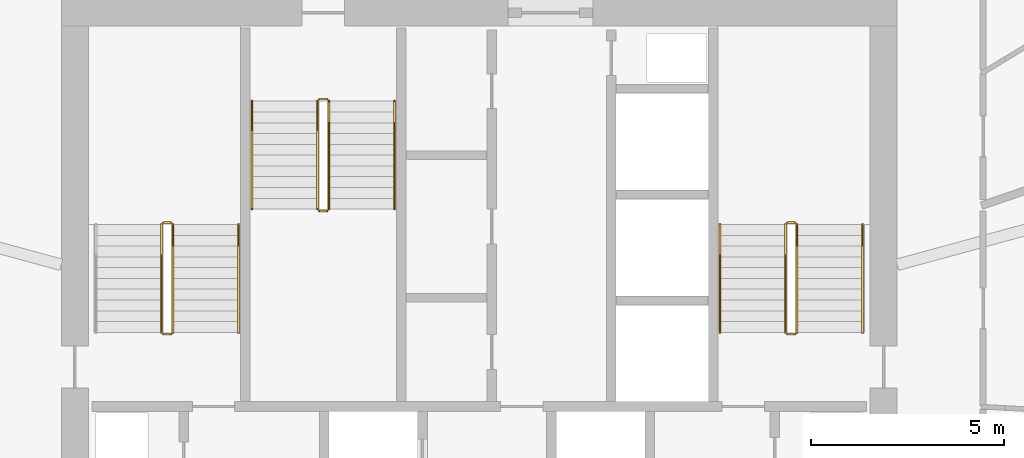
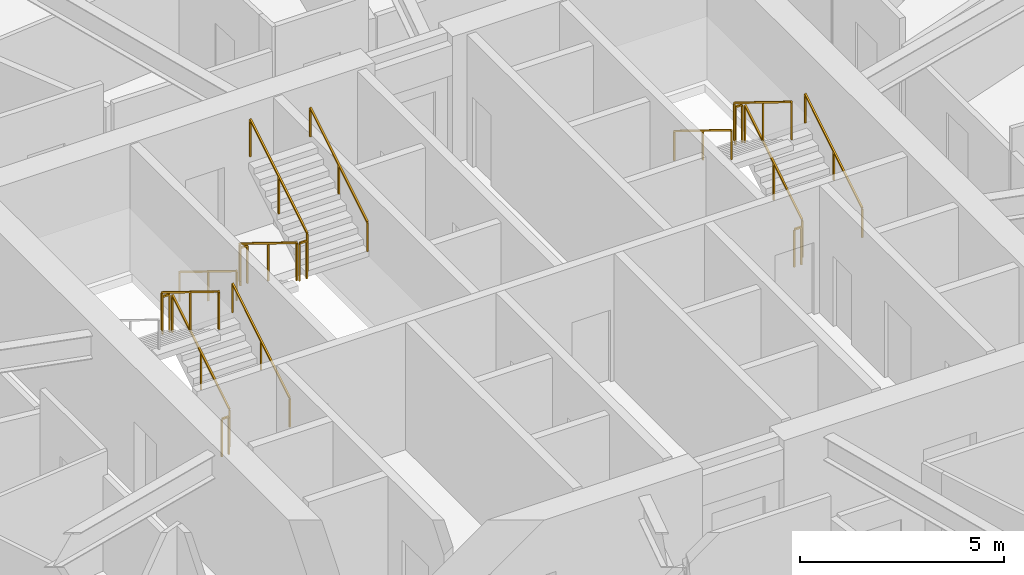
# One storey, part 36 of 36: 17 railings.
"""IFC4 building model written with IfcOpenShell, lengths in metres."""

from ifc_helpers import new_model, si_unit, direction, frame, origin, origin_2d, place, context, subcontext, project, spatial, rectangle, extrude, material, type_object, element, save


model = new_model("IFC4")

# Units and contexts
model_context = context("Model", 3, precision=1e-05, world=origin(), true_north=direction((0.0, 1.0)))
body_context = subcontext(model_context, "Body", "Model", "MODEL_VIEW")
ifc_project = project(units=[si_unit("LENGTHUNIT", "METRE"), si_unit("AREAUNIT", "SQUARE_METRE"), si_unit("VOLUMEUNIT", "CUBIC_METRE"), si_unit("PLANEANGLEUNIT", "RADIAN"), si_unit("MASSUNIT", "GRAM", prefix="KILO")], contexts=[model_context])

# Site, building, storey
site_placement = place(None, origin())
site = spatial("IfcSite", under=ifc_project, at=site_placement, CompositionType="ELEMENT")
building_placement = place(site_placement, origin())
building = spatial("IfcBuilding", under=site, at=building_placement, Name="Zuhravey Tower", CompositionType="ELEMENT")
storey_placement = place(building_placement, frame((0.0, 0.0, 107.60009765625)))
storey = spatial("IfcBuildingStorey", under=building, at=storey_placement, Name="L26", CompositionType="ELEMENT", Elevation=107.60009765625)

# Railings
ifc_material_1 = material(Name="Brushed stainless steel", Category="steel")
railing_type_1 = type_object("IfcRailingType", Name="Stair Wall Handrail 900", PredefinedType="HANDRAIL", material=ifc_material_1)
for number, where, name in (
    (1, (29.75, 33.199951171875, 0.172607421875), "L26 ST1 stair handrail 1"),
    (2, (45.949951171875, 33.199951171875, 0.172607421875), "L26 ST2 stair handrail 1"),
):
    element("IfcRailing", number, at=place(storey_placement, frame(where)), inside=storey, type_object=railing_type_1, Name=name, PredefinedType="HANDRAIL", context=body_context, shape_type="SweptSolid", body=[
        extrude(rectangle(XDim=0.048095703125, YDim=0.048095703125, at=origin_2d()), frame((0.0, 0.001708984375, 0.876953125), z_axis=(0.0, 0.851089632645, 0.525020415988), x_axis=(-1.0, 0.0, 0.0)), (0.0, 0.0, 1.0), 3.285888671875),
        extrude(rectangle(XDim=0.0419921875, YDim=0.0419921875, at=origin_2d()), origin(), (0.0, 0.0, 1.0), 0.849853515625),
        extrude(rectangle(XDim=0.0419921875, YDim=0.0419921875, at=origin_2d()), frame((0.0, 1.39990234375, 0.86376953125)), (0.0, 0.0, 1.0), 0.849853515625),
        extrude(rectangle(XDim=0.0419921875, YDim=0.0419921875, at=origin_2d()), frame((0.0, 2.800048828125, 1.727294921875)), (0.0, 0.0, 1.0), 0.849853515625),
    ])
for number, where, name in (
    (3, (42.25, 36.0, 2.072509765625), "L26 ST2 stair handrail 2"),
    (4, (30.10009765625, 39.199951171875, 0.172607421875), "L26 ST3 stair handrail 1"),
):
    element("IfcRailing", number, at=place(storey_placement, frame(where)), inside=storey, type_object=railing_type_1, Name=name, PredefinedType="HANDRAIL", context=body_context, shape_type="SweptSolid", body=[
        extrude(rectangle(XDim=0.048095703125, YDim=0.048095703125, at=origin_2d()), frame((0.0, -0.001708984375, 0.876953125), z_axis=(0.0, -0.851089632645, 0.525020415988), x_axis=(1.0, 0.0, 0.0)), (0.0, 0.0, 1.0), 3.285888671875),
        extrude(rectangle(XDim=0.0419921875, YDim=0.0419921875, at=origin_2d()), origin(), (0.0, 0.0, 1.0), 0.849853515625),
        extrude(rectangle(XDim=0.0419921875, YDim=0.0419921875, at=origin_2d()), frame((0.0, -1.39990234375, 0.86376953125)), (0.0, 0.0, 1.0), 0.849853515625),
        extrude(rectangle(XDim=0.0419921875, YDim=0.0419921875, at=origin_2d()), frame((0.0, -2.800048828125, 1.727294921875)), (0.0, 0.0, 1.0), 0.849853515625),
    ])
railing_1_placement = place(storey_placement, frame((33.800048828125, 36.39990234375, 2.072509765625)))
element("IfcRailing", 5, at=railing_1_placement, inside=storey, type_object=railing_type_1, Name="L26 ST3 stair handrail 2", PredefinedType="HANDRAIL", context=body_context, shape_type="SweptSolid", body=[
    extrude(rectangle(XDim=0.048095703125, YDim=0.048095703125, at=origin_2d()), frame((0.0, 0.001708984375, 0.876953125), z_axis=(0.0, 0.851089632645, 0.525020415988), x_axis=(-1.0, 0.0, 0.0)), (0.0, 0.0, 1.0), 3.285888671875),
    extrude(rectangle(XDim=0.0419921875, YDim=0.0419921875, at=origin_2d()), origin(), (0.0, 0.0, 1.0), 0.849853515625),
    extrude(rectangle(XDim=0.0419921875, YDim=0.0419921875, at=origin_2d()), frame((0.0, 1.39990234375, 0.86376953125)), (0.0, 0.0, 1.0), 0.849853515625),
    extrude(rectangle(XDim=0.0419921875, YDim=0.0419921875, at=origin_2d()), frame((0.0, 2.800048828125, 1.727294921875)), (0.0, 0.0, 1.0), 0.849853515625),
])
ifc_material_2 = material(Name="Painted tubular steel", Category="steel")
railing_type_2 = type_object("IfcRailingType", Name="Stair Well Guardrail 1150", PredefinedType="GUARDRAIL", material=ifc_material_2)
railing_2_placement = place(storey_placement, frame((28.050048828125, 33.199951171875, 0.172607421875)))
element("IfcRailing", 6, at=railing_2_placement, inside=storey, type_object=railing_type_2, Name="L26 ST1 stair guard 1", PredefinedType="GUARDRAIL", context=body_context, shape_type="SweptSolid", body=[
    extrude(rectangle(XDim=0.048095703125, YDim=0.048095703125, at=origin_2d()), frame((0.0, 0.001708984375, 1.126953125), z_axis=(0.0, 0.851089632645, 0.525020415988), x_axis=(-1.0, 0.0, 0.0)), (0.0, 0.0, 1.0), 3.285888671875),
    extrude(rectangle(XDim=0.0419921875, YDim=0.0419921875, at=origin_2d()), origin(), (0.0, 0.0, 1.0), 1.099853515625),
    extrude(rectangle(XDim=0.0419921875, YDim=0.0419921875, at=origin_2d()), frame((0.0, 1.39990234375, 0.86376953125)), (0.0, 0.0, 1.0), 1.099853515625),
    extrude(rectangle(XDim=0.0419921875, YDim=0.0419921875, at=origin_2d()), frame((0.0, 2.800048828125, 1.727294921875)), (0.0, 0.0, 1.0), 1.099853515625),
])
railing_3_placement = place(storey_placement, frame((28.0, 36.050048828125, 1.89990234375)))
element("IfcRailing", 7, at=railing_3_placement, inside=storey, type_object=railing_type_2, Name="L26 ST1 stair guard 2", PredefinedType="GUARDRAIL", context=body_context, shape_type="SweptSolid", body=[
    extrude(rectangle(XDim=0.048095703125, YDim=0.048095703125, at=origin_2d()), frame((-0.001953125, 0.0, 1.1259765625), z_axis=(-1.0, 0.0, 0.0), x_axis=(0.0, -1.0, 0.0)), (0.0, 0.0, 1.0), 0.196044921875),
    extrude(rectangle(XDim=0.0419921875, YDim=0.0419921875, at=origin_2d()), origin(), (0.0, 0.0, 1.0), 1.099853515625),
    extrude(rectangle(XDim=0.0419921875, YDim=0.0419921875, at=origin_2d()), frame((-0.199951171875, 0.0, 0.0)), (0.0, 0.0, 1.0), 1.099853515625),
])
railing_4_placement = place(storey_placement, frame((27.75, 36.0, 2.072509765625)))
element("IfcRailing", 8, at=railing_4_placement, inside=storey, type_object=railing_type_2, Name="L26 ST1 stair guard 3", PredefinedType="GUARDRAIL", context=body_context, shape_type="SweptSolid", body=[
    extrude(rectangle(XDim=0.048095703125, YDim=0.048095703125, at=origin_2d()), frame((0.0, -0.001708984375, 1.126953125), z_axis=(0.0, -0.851089632645, 0.525020415988), x_axis=(1.0, 0.0, 0.0)), (0.0, 0.0, 1.0), 3.285888671875),
    extrude(rectangle(XDim=0.0419921875, YDim=0.0419921875, at=origin_2d()), origin(), (0.0, 0.0, 1.0), 1.099853515625),
    extrude(rectangle(XDim=0.0419921875, YDim=0.0419921875, at=origin_2d()), frame((0.0, -1.39990234375, 0.86376953125)), (0.0, 0.0, 1.0), 1.099853515625),
    extrude(rectangle(XDim=0.0419921875, YDim=0.0419921875, at=origin_2d()), frame((0.0, -2.800048828125, 1.727294921875)), (0.0, 0.0, 1.0), 1.099853515625),
])
railing_5_placement = place(storey_placement, frame((28.0, 33.14990234375, 0.0)))
element("IfcRailing", 9, at=railing_5_placement, inside=storey, type_object=railing_type_2, Name="L26 ST1 stair guard 4", PredefinedType="GUARDRAIL", context=body_context, shape_type="SweptSolid", body=[
    extrude(rectangle(XDim=0.048095703125, YDim=0.048095703125, at=origin_2d()), frame((-0.001953125, 0.0, 1.1259765625), z_axis=(-1.0, 0.0, 0.0), x_axis=(0.0, -1.0, 0.0)), (0.0, 0.0, 1.0), 0.196044921875),
    extrude(rectangle(XDim=0.0419921875, YDim=0.0419921875, at=origin_2d()), origin(), (0.0, 0.0, 1.0), 1.099853515625),
    extrude(rectangle(XDim=0.0419921875, YDim=0.0419921875, at=origin_2d()), frame((-0.199951171875, 0.0, 0.0)), (0.0, 0.0, 1.0), 1.099853515625),
])
railing_6_placement = place(storey_placement, frame((44.25, 33.199951171875, 0.172607421875)))
element("IfcRailing", 10, at=railing_6_placement, inside=storey, type_object=railing_type_2, Name="L26 ST2 stair guard 1", PredefinedType="GUARDRAIL", context=body_context, shape_type="SweptSolid", body=[
    extrude(rectangle(XDim=0.048095703125, YDim=0.048095703125, at=origin_2d()), frame((0.0, 0.001708984375, 1.126953125), z_axis=(0.0, 0.851089632645, 0.525020415988), x_axis=(-1.0, 0.0, 0.0)), (0.0, 0.0, 1.0), 3.285888671875),
    extrude(rectangle(XDim=0.0419921875, YDim=0.0419921875, at=origin_2d()), origin(), (0.0, 0.0, 1.0), 1.099853515625),
    extrude(rectangle(XDim=0.0419921875, YDim=0.0419921875, at=origin_2d()), frame((0.0, 1.39990234375, 0.86376953125)), (0.0, 0.0, 1.0), 1.099853515625),
    extrude(rectangle(XDim=0.0419921875, YDim=0.0419921875, at=origin_2d()), frame((0.0, 2.800048828125, 1.727294921875)), (0.0, 0.0, 1.0), 1.099853515625),
])
railing_7_placement = place(storey_placement, frame((44.199951171875, 36.050048828125, 1.89990234375)))
element("IfcRailing", 11, at=railing_7_placement, inside=storey, type_object=railing_type_2, Name="L26 ST2 stair guard 2", PredefinedType="GUARDRAIL", context=body_context, shape_type="SweptSolid", body=[
    extrude(rectangle(XDim=0.048095703125, YDim=0.048095703125, at=origin_2d()), frame((-0.001953125, 0.0, 1.1259765625), z_axis=(-1.0, 0.0, 0.0), x_axis=(0.0, -1.0, 0.0)), (0.0, 0.0, 1.0), 0.196044921875),
    extrude(rectangle(XDim=0.0419921875, YDim=0.0419921875, at=origin_2d()), origin(), (0.0, 0.0, 1.0), 1.099853515625),
    extrude(rectangle(XDim=0.0419921875, YDim=0.0419921875, at=origin_2d()), frame((-0.199951171875, 0.0, 0.0)), (0.0, 0.0, 1.0), 1.099853515625),
])
railing_8_placement = place(storey_placement, frame((43.949951171875, 36.0, 2.072509765625)))
element("IfcRailing", 12, at=railing_8_placement, inside=storey, type_object=railing_type_2, Name="L26 ST2 stair guard 3", PredefinedType="GUARDRAIL", context=body_context, shape_type="SweptSolid", body=[
    extrude(rectangle(XDim=0.048095703125, YDim=0.048095703125, at=origin_2d()), frame((0.0, -0.001708984375, 1.126953125), z_axis=(0.0, -0.851089632645, 0.525020415988), x_axis=(1.0, 0.0, 0.0)), (0.0, 0.0, 1.0), 3.285888671875),
    extrude(rectangle(XDim=0.0419921875, YDim=0.0419921875, at=origin_2d()), origin(), (0.0, 0.0, 1.0), 1.099853515625),
    extrude(rectangle(XDim=0.0419921875, YDim=0.0419921875, at=origin_2d()), frame((0.0, -1.39990234375, 0.86376953125)), (0.0, 0.0, 1.0), 1.099853515625),
    extrude(rectangle(XDim=0.0419921875, YDim=0.0419921875, at=origin_2d()), frame((0.0, -2.800048828125, 1.727294921875)), (0.0, 0.0, 1.0), 1.099853515625),
])
railing_9_placement = place(storey_placement, frame((44.199951171875, 33.14990234375, 0.0)))
element("IfcRailing", 13, at=railing_9_placement, inside=storey, type_object=railing_type_2, Name="L26 ST2 stair guard 4", PredefinedType="GUARDRAIL", context=body_context, shape_type="SweptSolid", body=[
    extrude(rectangle(XDim=0.048095703125, YDim=0.048095703125, at=origin_2d()), frame((-0.001953125, 0.0, 1.1259765625), z_axis=(-1.0, 0.0, 0.0), x_axis=(0.0, -1.0, 0.0)), (0.0, 0.0, 1.0), 0.196044921875),
    extrude(rectangle(XDim=0.0419921875, YDim=0.0419921875, at=origin_2d()), origin(), (0.0, 0.0, 1.0), 1.099853515625),
    extrude(rectangle(XDim=0.0419921875, YDim=0.0419921875, at=origin_2d()), frame((-0.199951171875, 0.0, 0.0)), (0.0, 0.0, 1.0), 1.099853515625),
])
railing_10_placement = place(storey_placement, frame((31.800048828125, 39.199951171875, 0.172607421875)))
element("IfcRailing", 14, at=railing_10_placement, inside=storey, type_object=railing_type_2, Name="L26 ST3 stair guard 1", PredefinedType="GUARDRAIL", context=body_context, shape_type="SweptSolid", body=[
    extrude(rectangle(XDim=0.048095703125, YDim=0.048095703125, at=origin_2d()), frame((0.0, -0.001708984375, 1.126953125), z_axis=(0.0, -0.851089632645, 0.525020415988), x_axis=(1.0, 0.0, 0.0)), (0.0, 0.0, 1.0), 3.285888671875),
    extrude(rectangle(XDim=0.0419921875, YDim=0.0419921875, at=origin_2d()), origin(), (0.0, 0.0, 1.0), 1.099853515625),
    extrude(rectangle(XDim=0.0419921875, YDim=0.0419921875, at=origin_2d()), frame((0.0, -1.39990234375, 0.86376953125)), (0.0, 0.0, 1.0), 1.099853515625),
    extrude(rectangle(XDim=0.0419921875, YDim=0.0419921875, at=origin_2d()), frame((0.0, -2.800048828125, 1.727294921875)), (0.0, 0.0, 1.0), 1.099853515625),
])
railing_11_placement = place(storey_placement, frame((31.85009765625, 36.35009765625, 1.89990234375)))
element("IfcRailing", 15, at=railing_11_placement, inside=storey, type_object=railing_type_2, Name="L26 ST3 stair guard 2", PredefinedType="GUARDRAIL", context=body_context, shape_type="SweptSolid", body=[
    extrude(rectangle(XDim=0.048095703125, YDim=0.048095703125, at=origin_2d()), frame((0.001953125, 0.0, 1.1259765625), z_axis=(1.0, 0.0, 0.0), x_axis=(0.0, 1.0, 0.0)), (0.0, 0.0, 1.0), 0.196044921875),
    extrude(rectangle(XDim=0.0419921875, YDim=0.0419921875, at=origin_2d()), origin(), (0.0, 0.0, 1.0), 1.099853515625),
    extrude(rectangle(XDim=0.0419921875, YDim=0.0419921875, at=origin_2d()), frame((0.199951171875, 0.0, 0.0)), (0.0, 0.0, 1.0), 1.099853515625),
])
railing_12_placement = place(storey_placement, frame((32.10009765625, 36.39990234375, 2.072509765625)))
element("IfcRailing", 16, at=railing_12_placement, inside=storey, type_object=railing_type_2, Name="L26 ST3 stair guard 3", PredefinedType="GUARDRAIL", context=body_context, shape_type="SweptSolid", body=[
    extrude(rectangle(XDim=0.048095703125, YDim=0.048095703125, at=origin_2d()), frame((0.0, 0.001708984375, 1.126953125), z_axis=(0.0, 0.851089632645, 0.525020415988), x_axis=(-1.0, 0.0, 0.0)), (0.0, 0.0, 1.0), 3.285888671875),
    extrude(rectangle(XDim=0.0419921875, YDim=0.0419921875, at=origin_2d()), origin(), (0.0, 0.0, 1.0), 1.099853515625),
    extrude(rectangle(XDim=0.0419921875, YDim=0.0419921875, at=origin_2d()), frame((0.0, 1.39990234375, 0.86376953125)), (0.0, 0.0, 1.0), 1.099853515625),
    extrude(rectangle(XDim=0.0419921875, YDim=0.0419921875, at=origin_2d()), frame((0.0, 2.800048828125, 1.727294921875)), (0.0, 0.0, 1.0), 1.099853515625),
])
railing_13_placement = place(storey_placement, frame((31.85009765625, 39.25, 0.0)))
element("IfcRailing", 17, at=railing_13_placement, inside=storey, type_object=railing_type_2, Name="L26 ST3 stair guard 4", PredefinedType="GUARDRAIL", context=body_context, shape_type="SweptSolid", body=[
    extrude(rectangle(XDim=0.048095703125, YDim=0.048095703125, at=origin_2d()), frame((0.001953125, 0.0, 1.1259765625), z_axis=(1.0, 0.0, 0.0), x_axis=(0.0, 1.0, 0.0)), (0.0, 0.0, 1.0), 0.196044921875),
    extrude(rectangle(XDim=0.0419921875, YDim=0.0419921875, at=origin_2d()), origin(), (0.0, 0.0, 1.0), 1.099853515625),
    extrude(rectangle(XDim=0.0419921875, YDim=0.0419921875, at=origin_2d()), frame((0.199951171875, 0.0, 0.0)), (0.0, 0.0, 1.0), 1.099853515625),
])

save(model, "model.ifc")
